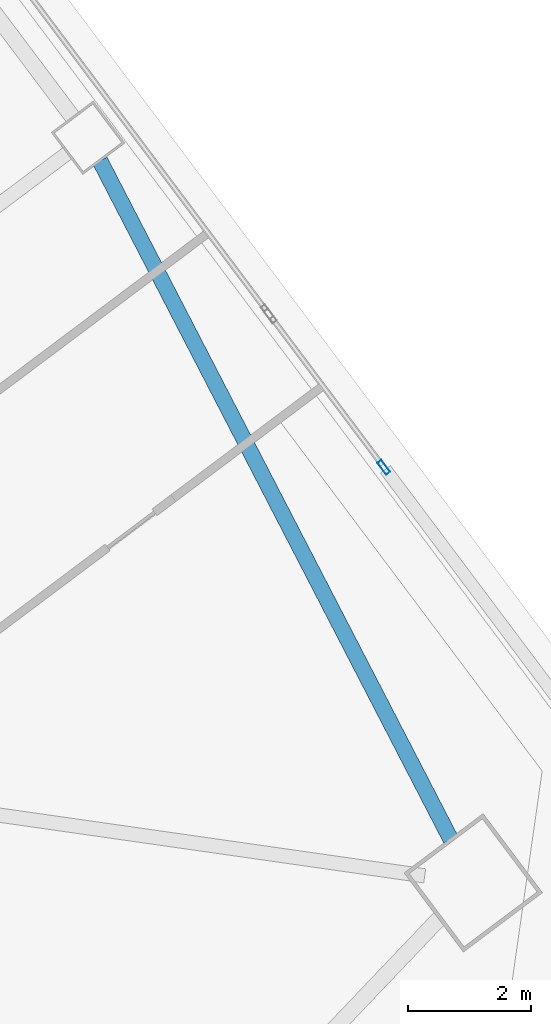
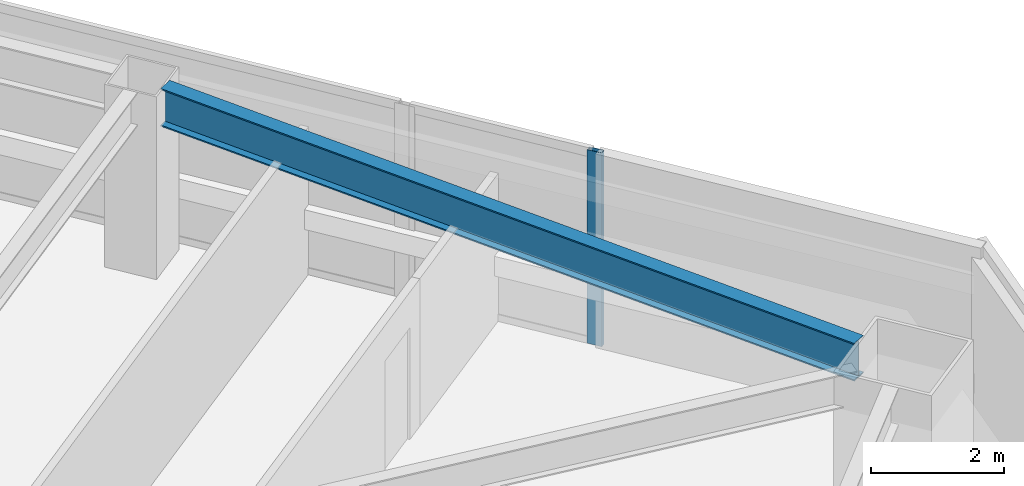
# One storey, part 27 of 46: 1 beam, 1 member, 1 element without a shape of its own.
"""IFC4 building model written with IfcOpenShell, lengths in metres."""

from ifc_helpers import new_model, si_unit, direction, frame, origin, origin_2d, place, context, subcontext, project, spatial, hollow_rectangle, i_section, extrude, material, material_profile, profile_set, type_object, element, aggregate, save


model = new_model("IFC4")

# Units and contexts
model_context = context("Model", 3, precision=1e-05, world=origin(), true_north=direction((0.0, 1.0)))
body_context = subcontext(model_context, "Body", "Model", "MODEL_VIEW")
ifc_project = project(units=[si_unit("LENGTHUNIT", "METRE"), si_unit("AREAUNIT", "SQUARE_METRE"), si_unit("VOLUMEUNIT", "CUBIC_METRE"), si_unit("PLANEANGLEUNIT", "RADIAN"), si_unit("MASSUNIT", "GRAM", prefix="KILO")], contexts=[model_context])

# Site, building, storey
site_placement = place(None, origin())
site = spatial("IfcSite", under=ifc_project, at=site_placement, CompositionType="ELEMENT")
building_placement = place(site_placement, origin())
building = spatial("IfcBuilding", under=site, at=building_placement, Name="Tashvorn Skyway Center", CompositionType="ELEMENT")
storey_placement = place(building_placement, frame((0.0, 0.0, 60.10009765625)))
storey = spatial("IfcBuildingStorey", under=building, at=storey_placement, Name="L15", CompositionType="ELEMENT", Elevation=60.10009765625)

# Beam
ifc_material_1 = material(Name="Steel ASTM A992 Grade 50", Category="steel")
ifc_material_profile_1 = material_profile(ifc_material_1, i_section(OverallWidth=0.256103515625, OverallDepth=0.693115234375, WebThickness=0.014404296875, FlangeThickness=0.023681640625, at=origin_2d()), Name="W27X114")
ifc_profile_set_1 = profile_set([ifc_material_profile_1], Name="Steel ASTM A992 Grade 50")
beam_type = type_object("IfcBeamType", Name="BM-SPANDREL-W27X114", PredefinedType="SPANDREL", material=ifc_profile_set_1)
beam_placement = place(storey_placement, frame((139.954833984375, 28.9462890625, 3.00341796875), z_axis=(-0.459233413919, 0.888315637339, 0.0), x_axis=(-0.888315637339, -0.459233413919, 0.0)))
element("IfcBeam", 1, at=beam_placement, inside=storey, type_object=beam_type, Name="Tower 2 L15 Spandrel Beam 04", PredefinedType="SPANDREL", context=body_context, shape_type="SweptSolid", body=[
    extrude(i_section(OverallWidth=0.256103515625, OverallDepth=0.693115234375, WebThickness=0.014404296875, FlangeThickness=0.023681640625, at=origin_2d()), origin(), (0.0, 0.0, 1.0), 12.37255859375),
])

# Curtain wall, member
ifc_material_2 = material(Name="Thermally broken bronze-anodized aluminium 6063-T6", Category="aluminium")
curtain_wall_type = type_object("IfcCurtainWallType", Name="CW-CW-Z1", PredefinedType="NOTDEFINED", material=ifc_material_2)
curtain_wall_placement = place(storey_placement, origin())
curtain_wall = element("IfcCurtainWall", 2, at=curtain_wall_placement, inside=storey, type_object=curtain_wall_type, Name="Tower 2 L15 East Unitised Curtain Wall Glazing Group 3", PredefinedType="NOTDEFINED")
ifc_material_profile_2 = material_profile(ifc_material_2, hollow_rectangle(XDim=0.0849609375, YDim=0.239990234375, WallThickness=0.0048828125, at=origin_2d()), Name="ALU-MULL-85x240")
ifc_profile_set_2 = profile_set([ifc_material_profile_2], Name="Thermally broken bronze-anodized aluminium 6063-T6")
member_type = type_object("IfcMemberType", Name="CWM-CW-Z1", PredefinedType="MULLION", material=ifc_profile_set_2)
member_placement = place(storey_placement, frame((138.87060546875, 34.97265625, 0.0), z_axis=(0.0, 0.0, 1.0), x_axis=(0.799996186392, 0.600005084776, 0.0)))
member = element("IfcMember", 3, at=member_placement, type_object=member_type, Name="CW-Z1 mullion 2", PredefinedType="MULLION", context=body_context, shape_type="SweptSolid", body=[
    extrude(hollow_rectangle(XDim=0.0849609375, YDim=0.239990234375, WallThickness=0.0048828125, at=origin_2d()), origin(), (0.0, 0.0, 1.0), 3.5498046875),
])
aggregate(curtain_wall, [member])

save(model, "model.ifc")
